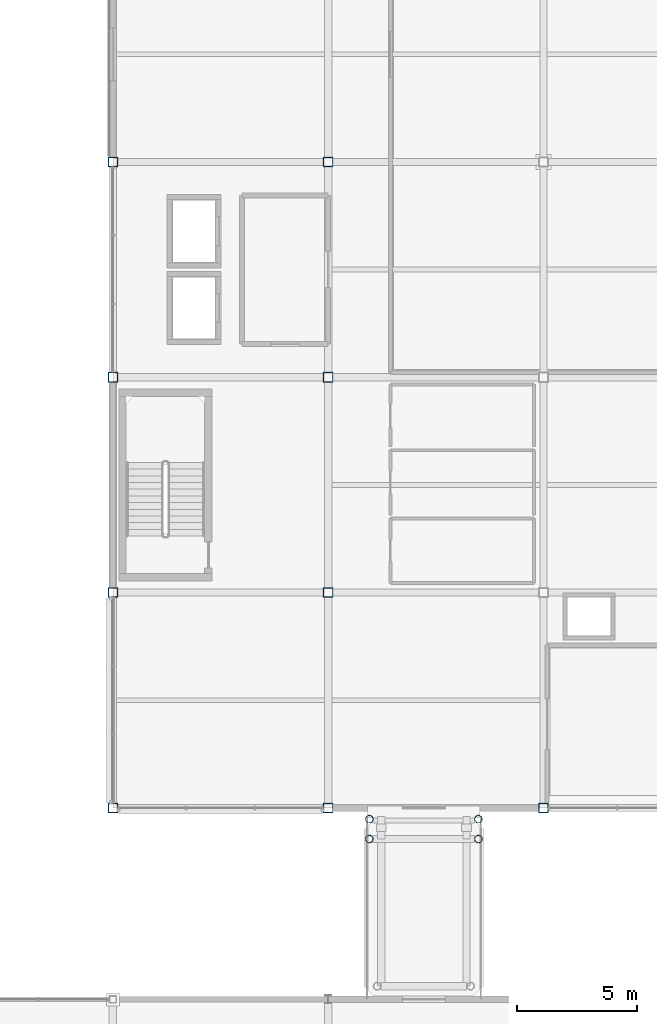
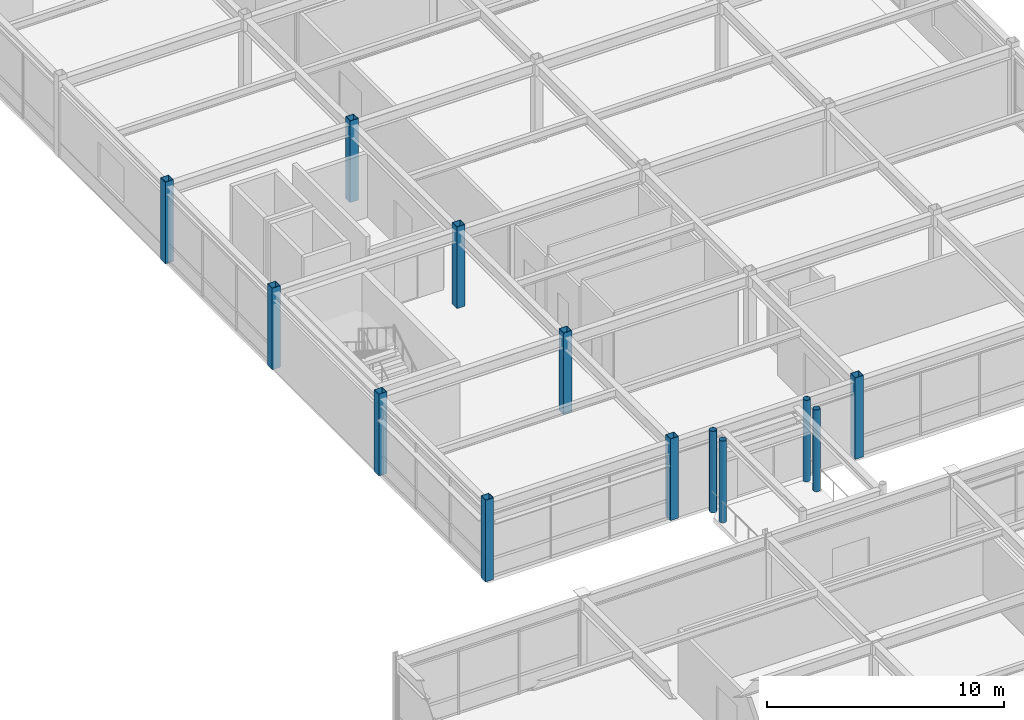
# One storey, part 12 of 70: 13 columns.
"""IFC4 building model written with IfcOpenShell, lengths in metres."""

from ifc_helpers import new_model, si_unit, direction, frame, origin, origin_2d, place, context, subcontext, project, spatial, hollow_rectangle, hollow_circle, extrude, material, material_profile, profile_set, type_object, element, save


model = new_model("IFC4")

# Units and contexts
model_context = context("Model", 3, precision=1e-05, world=origin(), true_north=direction((0.0, 1.0)))
body_context = subcontext(model_context, "Body", "Model", "MODEL_VIEW")
ifc_project = project(units=[si_unit("LENGTHUNIT", "METRE"), si_unit("AREAUNIT", "SQUARE_METRE"), si_unit("VOLUMEUNIT", "CUBIC_METRE"), si_unit("PLANEANGLEUNIT", "RADIAN"), si_unit("MASSUNIT", "GRAM", prefix="KILO")], contexts=[model_context])

# Site, building, storey
site_placement = place(None, origin())
site = spatial("IfcSite", under=ifc_project, at=site_placement, CompositionType="ELEMENT")
building_placement = place(site_placement, origin())
building = spatial("IfcBuilding", under=site, at=building_placement, Name="Suzunagisa Mobility Hub", CompositionType="ELEMENT")
storey_placement = place(building_placement, frame((0.0, 0.0, 13.5)))
storey = spatial("IfcBuildingStorey", under=building, at=storey_placement, Name="L03", CompositionType="ELEMENT", Elevation=13.5)

# Columns
ifc_material = material(Name="Steel SN490B", Category="steel")
ifc_material_profile_1 = material_profile(ifc_material, hollow_circle(Radius=0.1591796875, WallThickness=0.01025390625, at=origin_2d()), Name="CHS-318.5x10.3")
ifc_profile_set_1 = profile_set([ifc_material_profile_1], Name="Steel SN490B")
column_type_1 = type_object("IfcColumnType", Name="Steel Column CL-09 CHS-318.5x10.3", PredefinedType="COLUMN", material=ifc_profile_set_1)
for number, where, z_axis, x_axis, name in (
    (1, (154.719970703125, 42.699951171875, 0.0), (0.0, 0.0, 1.0), (1.0, 0.0, 0.0), "L03 Column 277"),
    (2, (154.719970703125, 43.530029296875, 0.0), (0.0, 0.0, 1.0), (1.0, 0.0, 0.0), "L03 Column 278"),
    (3, (159.280029296875, 42.699951171875, 0.0), (0.0, 0.0, 1.0), (1.0, 0.0, 0.0), "L03 Column 281"),
    (4, (159.280029296875, 43.530029296875, 0.0), (0.0, 0.0, 1.0), (1.0, 0.0, 0.0), "L03 Column 282"),
):
    element("IfcColumn", number, at=place(storey_placement, frame(where, z_axis=z_axis, x_axis=x_axis)), inside=storey, type_object=column_type_1, Name=name, PredefinedType="COLUMN", context=body_context, shape_type="SweptSolid", body=[
        extrude(hollow_circle(Radius=0.1591796875, WallThickness=0.01025390625, at=origin_2d()), origin(), (0.0, 0.0, 1.0), 4.199951171875),
    ])
ifc_material_profile_2 = material_profile(ifc_material, hollow_rectangle(XDim=0.39990234375, YDim=0.39990234375, WallThickness=0.01904296875, at=origin_2d()), Name="BCR-400x400x19")
ifc_profile_set_2 = profile_set([ifc_material_profile_2], Name="Steel SN490B")
column_type_2 = type_object("IfcColumnType", Name="Steel Column CL-13 BCR-400x400x19", PredefinedType="COLUMN", material=ifc_profile_set_2)
for number, where, z_axis, x_axis, name in (
    (5, (144.0, 44.0, 0.0), (0.0, 0.0, 1.0), (1.0, 0.0, 0.0), "L03 Column 256"),
    (6, (144.0, 53.0, 0.0), (0.0, 0.0, 1.0), (1.0, 0.0, 0.0), "L03 Column 257"),
    (7, (144.0, 62.0, 0.0), (0.0, 0.0, 1.0), (1.0, 0.0, 0.0), "L03 Column 258"),
    (8, (144.0, 71.0, 0.0), (0.0, 0.0, 1.0), (1.0, 0.0, 0.0), "L03 Column 259"),
    (9, (153.0, 44.0, 0.0), (0.0, 0.0, 1.0), (1.0, 0.0, 0.0), "L03 Column 269"),
    (10, (153.0, 53.0, 0.0), (0.0, 0.0, 1.0), (1.0, 0.0, 0.0), "L03 Column 270"),
    (11, (153.0, 62.0, 0.0), (0.0, 0.0, 1.0), (1.0, 0.0, 0.0), "L03 Column 271"),
    (12, (153.0, 71.0, 0.0), (0.0, 0.0, 1.0), (1.0, 0.0, 0.0), "L03 Column 272"),
    (13, (162.0, 44.0, 0.0), (0.0, 0.0, 1.0), (1.0, 0.0, 0.0), "L03 Column 288"),
):
    element("IfcColumn", number, at=place(storey_placement, frame(where, z_axis=z_axis, x_axis=x_axis)), inside=storey, type_object=column_type_2, Name=name, PredefinedType="COLUMN", context=body_context, shape_type="SweptSolid", body=[
        extrude(hollow_rectangle(XDim=0.39990234375, YDim=0.39990234375, WallThickness=0.01904296875, at=origin_2d()), origin(), (0.0, 0.0, 1.0), 4.199951171875),
    ])

save(model, "model.ifc")
